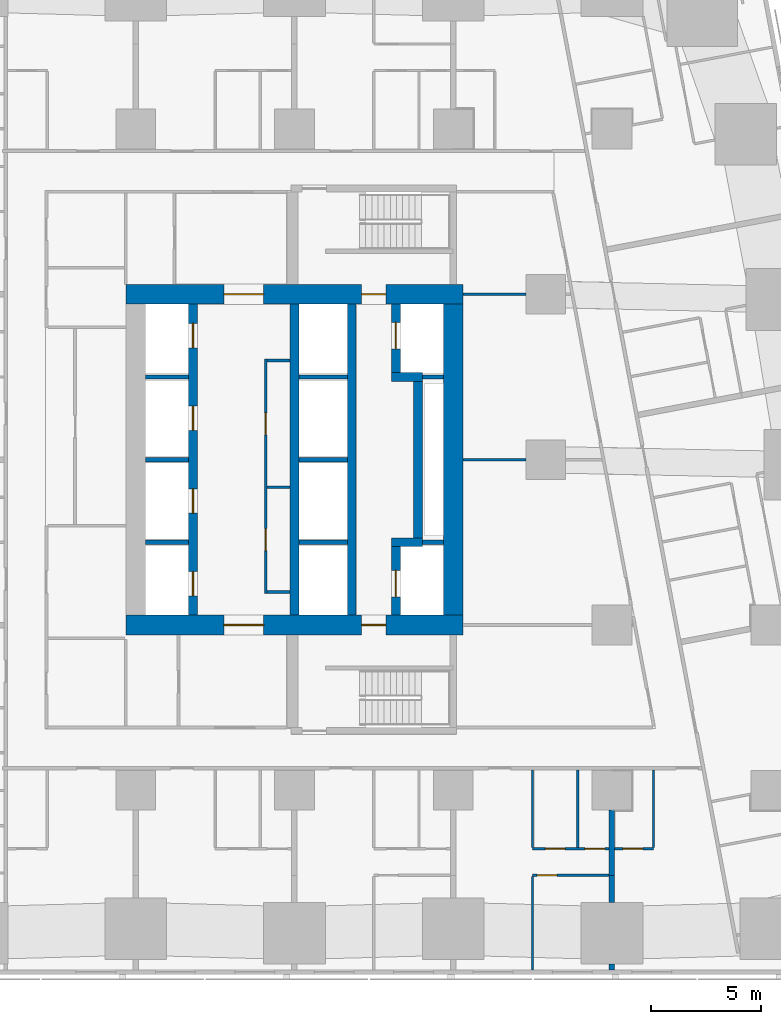
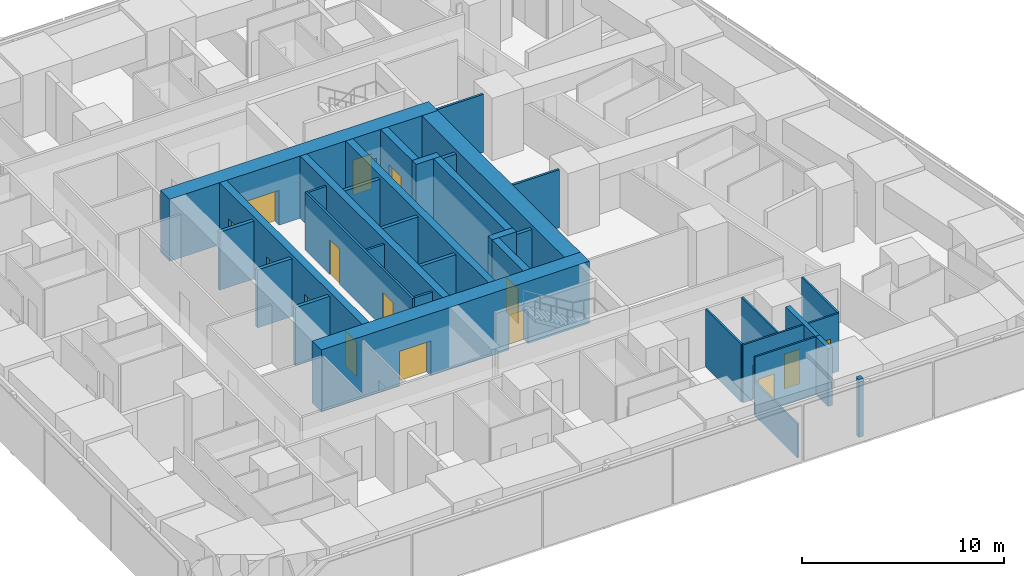
# One storey, part 5 of 15: 35 walls, 16 doors, 16 openings.
"""IFC4 building model written with IfcOpenShell, lengths in metres."""

from ifc_helpers import new_model, si_unit, direction, frame, frame_2d, origin, place, context, subcontext, project, spatial, rectangle, extrude, material, layer, layer_set, type_object, element, fill, save


model = new_model("IFC4")

# Units and contexts
model_context = context("Model", 3, precision=1e-05, world=origin(), true_north=direction((0.0, 1.0)))
body_context = subcontext(model_context, "Body", "Model", "MODEL_VIEW")
ifc_project = project(units=[si_unit("LENGTHUNIT", "METRE"), si_unit("AREAUNIT", "SQUARE_METRE"), si_unit("VOLUMEUNIT", "CUBIC_METRE"), si_unit("PLANEANGLEUNIT", "RADIAN"), si_unit("MASSUNIT", "GRAM", prefix="KILO")], contexts=[model_context])

# Site, building, storey
site_placement = place(None, origin())
site = spatial("IfcSite", under=ifc_project, at=site_placement, CompositionType="ELEMENT")
building_placement = place(site_placement, origin())
building = spatial("IfcBuilding", under=site, at=building_placement, Name="Sheger Commons Tower", CompositionType="ELEMENT")
storey_placement = place(building_placement, frame((0.0, 0.0, 46.25)))
storey = spatial("IfcBuildingStorey", under=building, at=storey_placement, Name="L11", CompositionType="ELEMENT", Elevation=46.25)

# Wall, openings, doors
ifc_material_1 = material(Name="Concrete C50/60", Category="concrete")
ifc_layer_1 = layer(ifc_material_1, 0.39990234375)
ifc_layer_set_1 = layer_set([ifc_layer_1], Name="CORE INNER WALL 400")
wall_type_1 = type_object("IfcWallType", Name="CORE INNER WALL 400", PredefinedType="SHEAR", material=ifc_layer_set_1)
wall_1_placement = place(storey_placement, frame((17.0, 15.449951171875, 0.0), z_axis=(0.0, 0.0, 1.0), x_axis=(0.0, 1.0, 0.0)))
wall_1 = element("IfcWall", 1, at=wall_1_placement, inside=storey, type_object=wall_type_1, Name="Core inner wall A L11", PredefinedType="SHEAR", context=body_context, shape_type="SweptSolid", body=[
    extrude(rectangle(XDim=14.10009765625, YDim=0.39990234375, at=frame_2d((7.050048828125, 0.0))), origin(), (0.0, 0.0, 1.0), 3.75),
])
opening_1_placement = place(wall_1_placement, frame((0.875, 0.0, 0.0)))
opening_1 = element("IfcOpeningElement", 2, at=opening_1_placement, cuts=wall_1, Name="Opening LD", PredefinedType="OPENING", context=body_context, shape_type="SweptSolid", body=[
    extrude(rectangle(XDim=1.10009765625, YDim=2.10009765625, at=frame_2d((0.550048828125, 1.050048828125))), frame((0.0, 0.2099609375, 0.0), z_axis=(0.0, -1.0, 0.0), x_axis=(1.0, 0.0, 0.0)), (0.0, 0.0, 1.0), 0.419921875),
])
opening_2_placement = place(wall_1_placement, frame((4.625, 0.0, 0.0)))
opening_2 = element("IfcOpeningElement", 3, at=opening_2_placement, cuts=wall_1, Name="Opening LD", PredefinedType="OPENING", context=body_context, shape_type="SweptSolid", body=[
    extrude(rectangle(XDim=1.10009765625, YDim=2.10009765625, at=frame_2d((0.550048828125, 1.050048828125))), frame((0.0, 0.2099609375, 0.0), z_axis=(0.0, -1.0, 0.0), x_axis=(1.0, 0.0, 0.0)), (0.0, 0.0, 1.0), 0.419921875),
])
opening_3_placement = place(wall_1_placement, frame((8.375, 0.0, 0.0)))
opening_3 = element("IfcOpeningElement", 4, at=opening_3_placement, cuts=wall_1, Name="Opening LD", PredefinedType="OPENING", context=body_context, shape_type="SweptSolid", body=[
    extrude(rectangle(XDim=1.10009765625, YDim=2.10009765625, at=frame_2d((0.550048828125, 1.050048828125))), frame((0.0, 0.2099609375, 0.0), z_axis=(0.0, -1.0, 0.0), x_axis=(1.0, 0.0, 0.0)), (0.0, 0.0, 1.0), 0.419921875),
])
opening_4_placement = place(wall_1_placement, frame((12.125, 0.0, 0.0)))
opening_4 = element("IfcOpeningElement", 5, at=opening_4_placement, cuts=wall_1, Name="Opening LD", PredefinedType="OPENING", context=body_context, shape_type="SweptSolid", body=[
    extrude(rectangle(XDim=1.10009765625, YDim=2.10009765625, at=frame_2d((0.550048828125, 1.050048828125))), frame((0.0, 0.2099609375, 0.0), z_axis=(0.0, -1.0, 0.0), x_axis=(1.0, 0.0, 0.0)), (0.0, 0.0, 1.0), 0.419921875),
])
ifc_material_2 = material(Name="Steel door set, fire rated", Category="steel")
door_type_1 = type_object("IfcDoorType", Name="LIFT LANDING DOOR 1100x2100", OperationType="DOUBLE_DOOR_SLIDING", PredefinedType="DOOR", material=ifc_material_2)
door_1_placement = place(opening_1_placement, origin())
door_1 = element("IfcDoor", 6, at=door_1_placement, inside=storey, type_object=door_type_1, Name="Lift LA1 landing door", OperationType="DOUBLE_DOOR_SLIDING", OverallHeight=2.10009765625, OverallWidth=1.10009765625, PredefinedType="DOOR", context=body_context, shape_type="SweptSolid", body=[
    extrude(rectangle(XDim=1.10009765625, YDim=2.10009765625, at=frame_2d((0.550048828125, 1.050048828125))), frame((0.0, 0.02490234375, 0.0), z_axis=(0.0, -1.0, 0.0), x_axis=(1.0, 0.0, 0.0)), (0.0, 0.0, 1.0), 0.050048828125),
])
fill(opening_1, door_1)
door_2_placement = place(opening_2_placement, origin())
door_2 = element("IfcDoor", 7, at=door_2_placement, inside=storey, type_object=door_type_1, Name="Lift LA2 landing door", OperationType="DOUBLE_DOOR_SLIDING", OverallHeight=2.10009765625, OverallWidth=1.10009765625, PredefinedType="DOOR", context=body_context, shape_type="SweptSolid", body=[
    extrude(rectangle(XDim=1.10009765625, YDim=2.10009765625, at=frame_2d((0.550048828125, 1.050048828125))), frame((0.0, 0.02490234375, 0.0), z_axis=(0.0, -1.0, 0.0), x_axis=(1.0, 0.0, 0.0)), (0.0, 0.0, 1.0), 0.050048828125),
])
fill(opening_2, door_2)
door_3_placement = place(opening_3_placement, origin())
door_3 = element("IfcDoor", 8, at=door_3_placement, inside=storey, type_object=door_type_1, Name="Lift LA3 landing door", OperationType="DOUBLE_DOOR_SLIDING", OverallHeight=2.10009765625, OverallWidth=1.10009765625, PredefinedType="DOOR", context=body_context, shape_type="SweptSolid", body=[
    extrude(rectangle(XDim=1.10009765625, YDim=2.10009765625, at=frame_2d((0.550048828125, 1.050048828125))), frame((0.0, 0.02490234375, 0.0), z_axis=(0.0, -1.0, 0.0), x_axis=(1.0, 0.0, 0.0)), (0.0, 0.0, 1.0), 0.050048828125),
])
fill(opening_3, door_3)
door_4_placement = place(opening_4_placement, origin())
door_4 = element("IfcDoor", 9, at=door_4_placement, inside=storey, type_object=door_type_1, Name="Lift LA4 landing door", OperationType="DOUBLE_DOOR_SLIDING", OverallHeight=2.10009765625, OverallWidth=1.10009765625, PredefinedType="DOOR", context=body_context, shape_type="SweptSolid", body=[
    extrude(rectangle(XDim=1.10009765625, YDim=2.10009765625, at=frame_2d((0.550048828125, 1.050048828125))), frame((0.0, 0.02490234375, 0.0), z_axis=(0.0, -1.0, 0.0), x_axis=(1.0, 0.0, 0.0)), (0.0, 0.0, 1.0), 0.050048828125),
])
fill(opening_4, door_4)

# Walls
for number, where, z_axis, x_axis, name in (
    (10, (21.60009765625, 15.449951171875, 0.0), (0.0, 0.0, 1.0), (0.0, 1.0, 0.0), "Core inner wall L L11"),
    (11, (24.199951171875, 15.449951171875, 0.0), (0.0, 0.0, 1.0), (0.0, 1.0, 0.0), "Core inner wall B L11"),
):
    element("IfcWall", number, at=place(storey_placement, frame(where, z_axis=z_axis, x_axis=x_axis)), inside=storey, type_object=wall_type_1, Name=name, PredefinedType="SHEAR", context=body_context, shape_type="SweptSolid", body=[
        extrude(rectangle(XDim=14.10009765625, YDim=0.39990234375, at=frame_2d((7.050048828125, 0.0))), origin(), (0.0, 0.0, 1.0), 3.75),
    ])

# Wall, opening, door
wall_2_placement = place(storey_placement, frame((26.199951171875, 15.449951171875, 0.0), z_axis=(0.0, 0.0, 1.0), x_axis=(0.0, 1.0, 0.0)))
wall_2 = element("IfcWall", 12, at=wall_2_placement, inside=storey, type_object=wall_type_1, Name="Core inner wall F L11", PredefinedType="SHEAR", context=body_context, shape_type="SweptSolid", body=[
    extrude(rectangle(XDim=3.10009765625, YDim=0.39990234375, at=frame_2d((1.550048828125, 0.0))), origin(), (0.0, 0.0, 1.0), 3.75),
])
opening_5_placement = place(wall_2_placement, frame((0.824951171875, 0.0, 0.0)))
opening_5 = element("IfcOpeningElement", 13, at=opening_5_placement, cuts=wall_2, Name="Opening LD2", PredefinedType="OPENING", context=body_context, shape_type="SweptSolid", body=[
    extrude(rectangle(XDim=1.199951171875, YDim=2.10009765625, at=frame_2d((0.60009765625, 1.050048828125))), frame((0.0, 0.2099609375, 0.0), z_axis=(0.0, -1.0, 0.0), x_axis=(1.0, 0.0, 0.0)), (0.0, 0.0, 1.0), 0.419921875),
])
ifc_material_3 = material(Name="Steel door set, fire rated", Category="steel")
door_type_2 = type_object("IfcDoorType", Name="FIREFIGHTING LIFT LANDING DOOR 1200x2100", OperationType="DOUBLE_DOOR_SLIDING", PredefinedType="DOOR", material=ifc_material_3)
door_5_placement = place(opening_5_placement, origin())
door_5 = element("IfcDoor", 14, at=door_5_placement, inside=storey, type_object=door_type_2, Name="Lift FL1 landing door", OperationType="DOUBLE_DOOR_SLIDING", OverallHeight=2.10009765625, OverallWidth=1.199951171875, PredefinedType="DOOR", context=body_context, shape_type="SweptSolid", body=[
    extrude(rectangle(XDim=1.199951171875, YDim=2.10009765625, at=frame_2d((0.60009765625, 1.050048828125))), frame((0.0, 0.02490234375, 0.0), z_axis=(0.0, -1.0, 0.0), x_axis=(1.0, 0.0, 0.0)), (0.0, 0.0, 1.0), 0.050048828125),
])
fill(opening_5, door_5)

# Walls
wall_3_placement = place(storey_placement, frame((26.0, 18.75, 0.0), z_axis=(0.0, 0.0, 1.0), x_axis=(1.0, 0.0, 0.0)))
element("IfcWall", 15, at=wall_3_placement, inside=storey, type_object=wall_type_1, Name="Core inner wall F south return L11", PredefinedType="SHEAR", context=body_context, shape_type="SweptSolid", body=[
    extrude(rectangle(XDim=1.39990234375, YDim=0.39990234375, at=frame_2d((0.699951171875, 0.0))), origin(), (0.0, 0.0, 1.0), 3.75),
])
wall_4_placement = place(storey_placement, frame((27.199951171875, 18.949951171875, 0.0), z_axis=(0.0, 0.0, 1.0), x_axis=(0.0, 1.0, 0.0)))
element("IfcWall", 16, at=wall_4_placement, inside=storey, type_object=wall_type_1, Name="Core inner wall F middle L11", PredefinedType="SHEAR", context=body_context, shape_type="SweptSolid", body=[
    extrude(rectangle(XDim=7.10009765625, YDim=0.39990234375, at=frame_2d((3.550048828125, 0.0))), origin(), (0.0, 0.0, 1.0), 3.75),
])
wall_5_placement = place(storey_placement, frame((26.0, 26.25, 0.0), z_axis=(0.0, 0.0, 1.0), x_axis=(1.0, 0.0, 0.0)))
element("IfcWall", 17, at=wall_5_placement, inside=storey, type_object=wall_type_1, Name="Core inner wall F north return L11", PredefinedType="SHEAR", context=body_context, shape_type="SweptSolid", body=[
    extrude(rectangle(XDim=1.39990234375, YDim=0.39990234375, at=frame_2d((0.699951171875, 0.0))), origin(), (0.0, 0.0, 1.0), 3.75),
])

# Wall, opening, door
wall_6_placement = place(storey_placement, frame((26.199951171875, 26.449951171875, 0.0), z_axis=(0.0, 0.0, 1.0), x_axis=(0.0, 1.0, 0.0)))
wall_6 = element("IfcWall", 18, at=wall_6_placement, inside=storey, type_object=wall_type_1, Name="Core inner wall F north L11", PredefinedType="SHEAR", context=body_context, shape_type="SweptSolid", body=[
    extrude(rectangle(XDim=3.10009765625, YDim=0.39990234375, at=frame_2d((1.550048828125, 0.0))), origin(), (0.0, 0.0, 1.0), 3.75),
])
opening_6_placement = place(wall_6_placement, frame((1.074951171875, 0.0, 0.0)))
opening_6 = element("IfcOpeningElement", 19, at=opening_6_placement, cuts=wall_6, Name="Opening LD2", PredefinedType="OPENING", context=body_context, shape_type="SweptSolid", body=[
    extrude(rectangle(XDim=1.199951171875, YDim=2.10009765625, at=frame_2d((0.60009765625, 1.050048828125))), frame((0.0, 0.2099609375, 0.0), z_axis=(0.0, -1.0, 0.0), x_axis=(1.0, 0.0, 0.0)), (0.0, 0.0, 1.0), 0.419921875),
])
door_6_placement = place(opening_6_placement, origin())
door_6 = element("IfcDoor", 20, at=door_6_placement, inside=storey, type_object=door_type_2, Name="Lift FL2 landing door", OperationType="DOUBLE_DOOR_SLIDING", OverallHeight=2.10009765625, OverallWidth=1.199951171875, PredefinedType="DOOR", context=body_context, shape_type="SweptSolid", body=[
    extrude(rectangle(XDim=1.199951171875, YDim=2.10009765625, at=frame_2d((0.60009765625, 1.050048828125))), frame((0.0, 0.02490234375, 0.0), z_axis=(0.0, -1.0, 0.0), x_axis=(1.0, 0.0, 0.0)), (0.0, 0.0, 1.0), 0.050048828125),
])
fill(opening_6, door_6)

# Wall, openings, doors
ifc_material_4 = material(Name="Concrete C50/60", Category="concrete")
ifc_layer_2 = layer(ifc_material_4, 0.89990234375)
ifc_layer_set_2 = layer_set([ifc_layer_2], Name="CORE WALL 900")
wall_type_2 = type_object("IfcWallType", Name="CORE WALL 900", PredefinedType="SHEAR", material=ifc_layer_set_2)
wall_7_placement = place(storey_placement, frame((13.949951171875, 15.0, 0.0), z_axis=(0.0, 0.0, 1.0), x_axis=(1.0, 0.0, 0.0)))
wall_7 = element("IfcWall", 21, at=wall_7_placement, inside=storey, type_object=wall_type_2, Name="Core wall south L11", PredefinedType="SHEAR", context=body_context, shape_type="SweptSolid", body=[
    extrude(rectangle(XDim=15.300048828125, YDim=0.89990234375, at=frame_2d((7.64990234375, 0.0))), origin(), (0.0, 0.0, 1.0), 3.75),
])
opening_7_placement = place(wall_7_placement, frame((4.449951171875, 0.0, 0.0)))
opening_7 = element("IfcOpeningElement", 22, at=opening_7_placement, cuts=wall_7, Name="Opening D6", PredefinedType="OPENING", context=body_context, shape_type="SweptSolid", body=[
    extrude(rectangle(XDim=1.800048828125, YDim=2.10009765625, at=frame_2d((0.89990234375, 1.050048828125))), frame((0.0, 0.4599609375, 0.0), z_axis=(0.0, -1.0, 0.0), x_axis=(1.0, 0.0, 0.0)), (0.0, 0.0, 1.0), 0.919921875),
])
opening_8_placement = place(wall_7_placement, frame((10.699951171875, 0.0, 0.0)))
opening_8 = element("IfcOpeningElement", 23, at=opening_8_placement, cuts=wall_7, Name="Opening D5", PredefinedType="OPENING", context=body_context, shape_type="SweptSolid", body=[
    extrude(rectangle(XDim=1.10009765625, YDim=2.10009765625, at=frame_2d((0.550048828125, 1.050048828125))), frame((0.0, 0.4599609375, 0.0), z_axis=(0.0, -1.0, 0.0), x_axis=(1.0, 0.0, 0.0)), (0.0, 0.0, 1.0), 0.919921875),
])
ifc_material_5 = material(Name="Steel door set, fire rated", Category="steel")
door_type_3 = type_object("IfcDoorType", Name="LOBBY DOUBLE DOOR 1800x2100", OperationType="DOUBLE_DOOR_SINGLE_SWING", PredefinedType="DOOR", material=ifc_material_5)
door_7_placement = place(opening_7_placement, origin())
door_7 = element("IfcDoor", 24, at=door_7_placement, inside=storey, type_object=door_type_3, Name="Lift lobby door", OperationType="DOUBLE_DOOR_SINGLE_SWING", OverallHeight=2.10009765625, OverallWidth=1.800048828125, PredefinedType="DOOR", context=body_context, shape_type="SweptSolid", body=[
    extrude(rectangle(XDim=1.800048828125, YDim=2.10009765625, at=frame_2d((0.89990234375, 1.050048828125))), frame((0.0, 0.02490234375, 0.0), z_axis=(0.0, -1.0, 0.0), x_axis=(1.0, 0.0, 0.0)), (0.0, 0.0, 1.0), 0.050048828125),
])
fill(opening_7, door_7)
ifc_material_6 = material(Name="Steel door set, fire rated", Category="steel")
door_type_4 = type_object("IfcDoorType", Name="STAIR DOOR 1100x2100", OperationType="NOTDEFINED", PredefinedType="DOOR", material=ifc_material_6)
door_8_placement = place(opening_8_placement, origin())
door_8 = element("IfcDoor", 25, at=door_8_placement, inside=storey, type_object=door_type_4, Name="Fire-fighting lobby door", OperationType="SINGLE_SWING_LEFT", OverallHeight=2.10009765625, OverallWidth=1.10009765625, PredefinedType="DOOR", context=body_context, shape_type="SweptSolid", body=[
    extrude(rectangle(XDim=1.10009765625, YDim=2.10009765625, at=frame_2d((0.550048828125, 1.050048828125))), frame((0.0, 0.02490234375, 0.0), z_axis=(0.0, -1.0, 0.0), x_axis=(1.0, 0.0, 0.0)), (0.0, 0.0, 1.0), 0.050048828125),
])
fill(opening_8, door_8)

wall_8_placement = place(storey_placement, frame((13.949951171875, 30.0, 0.0), z_axis=(0.0, 0.0, 1.0), x_axis=(1.0, 0.0, 0.0)))
wall_8 = element("IfcWall", 26, at=wall_8_placement, inside=storey, type_object=wall_type_2, Name="Core wall north L11", PredefinedType="SHEAR", context=body_context, shape_type="SweptSolid", body=[
    extrude(rectangle(XDim=15.300048828125, YDim=0.89990234375, at=frame_2d((7.64990234375, 0.0))), origin(), (0.0, 0.0, 1.0), 3.75),
])
opening_9_placement = place(wall_8_placement, frame((4.449951171875, 0.0, 0.0)))
opening_9 = element("IfcOpeningElement", 27, at=opening_9_placement, cuts=wall_8, Name="Opening D6", PredefinedType="OPENING", context=body_context, shape_type="SweptSolid", body=[
    extrude(rectangle(XDim=1.800048828125, YDim=2.10009765625, at=frame_2d((0.89990234375, 1.050048828125))), frame((0.0, 0.4599609375, 0.0), z_axis=(0.0, -1.0, 0.0), x_axis=(1.0, 0.0, 0.0)), (0.0, 0.0, 1.0), 0.919921875),
])
opening_10_placement = place(wall_8_placement, frame((10.699951171875, 0.0, 0.0)))
opening_10 = element("IfcOpeningElement", 28, at=opening_10_placement, cuts=wall_8, Name="Opening D5", PredefinedType="OPENING", context=body_context, shape_type="SweptSolid", body=[
    extrude(rectangle(XDim=1.10009765625, YDim=2.10009765625, at=frame_2d((0.550048828125, 1.050048828125))), frame((0.0, 0.4599609375, 0.0), z_axis=(0.0, -1.0, 0.0), x_axis=(1.0, 0.0, 0.0)), (0.0, 0.0, 1.0), 0.919921875),
])
door_9_placement = place(opening_9_placement, origin())
door_9 = element("IfcDoor", 29, at=door_9_placement, inside=storey, type_object=door_type_3, Name="Lift lobby door", OperationType="DOUBLE_DOOR_SINGLE_SWING", OverallHeight=2.10009765625, OverallWidth=1.800048828125, PredefinedType="DOOR", context=body_context, shape_type="SweptSolid", body=[
    extrude(rectangle(XDim=1.800048828125, YDim=2.10009765625, at=frame_2d((0.89990234375, 1.050048828125))), frame((0.0, 0.02490234375, 0.0), z_axis=(0.0, -1.0, 0.0), x_axis=(1.0, 0.0, 0.0)), (0.0, 0.0, 1.0), 0.050048828125),
])
fill(opening_9, door_9)
door_10_placement = place(opening_10_placement, origin())
door_10 = element("IfcDoor", 30, at=door_10_placement, inside=storey, type_object=door_type_4, Name="Fire-fighting lobby door", OperationType="SINGLE_SWING_LEFT", OverallHeight=2.10009765625, OverallWidth=1.10009765625, PredefinedType="DOOR", context=body_context, shape_type="SweptSolid", body=[
    extrude(rectangle(XDim=1.10009765625, YDim=2.10009765625, at=frame_2d((0.550048828125, 1.050048828125))), frame((0.0, 0.02490234375, 0.0), z_axis=(0.0, -1.0, 0.0), x_axis=(1.0, 0.0, 0.0)), (0.0, 0.0, 1.0), 0.050048828125),
])
fill(opening_10, door_10)

# Walls
wall_9_placement = place(storey_placement, frame((28.800048828125, 15.449951171875, 0.0), z_axis=(0.0, 0.0, 1.0), x_axis=(0.0, 1.0, 0.0)))
element("IfcWall", 31, at=wall_9_placement, inside=storey, type_object=wall_type_2, Name="Core wall east L11", PredefinedType="SHEAR", context=body_context, shape_type="SweptSolid", body=[
    extrude(rectangle(XDim=14.10009765625, YDim=0.89990234375, at=frame_2d((7.050048828125, 0.0))), origin(), (0.0, 0.0, 1.0), 3.75),
])
ifc_material_7 = material(Name="Dense concrete block masonry, plastered both sides (separating wall between flats)", Category="masonry")
ifc_layer_3 = layer(ifc_material_7, 0.25)
ifc_layer_set_3 = layer_set([ifc_layer_3], Name="DEMISING WALL 250")
wall_type_3 = type_object("IfcWallType", Name="DEMISING WALL 250", PredefinedType="SOLIDWALL", material=ifc_layer_set_3)
wall_10_placement = place(storey_placement, frame((36.0, -0.64990234375, 0.0), z_axis=(0.0, 0.0, 1.0), x_axis=(0.0, 1.0, 0.0)))
element("IfcWall", 32, at=wall_10_placement, inside=storey, type_object=wall_type_3, Name="Demising wall L11", PredefinedType="SOLIDWALL", context=body_context, shape_type="SweptSolid", body=[
    extrude(rectangle(XDim=0.27392578125, YDim=0.25, at=frame_2d((0.136962890625, 0.0))), origin(), (0.0, 0.0, 1.0), 3.5),
])
wall_11_placement = place(storey_placement, frame((36.0, 2.426025390625, 0.0), z_axis=(0.0, 0.0, 1.0), x_axis=(0.0, 1.0, 0.0)))
element("IfcWall", 33, at=wall_11_placement, inside=storey, type_object=wall_type_3, Name="Demising wall L11", PredefinedType="SOLIDWALL", context=body_context, shape_type="SweptSolid", body=[
    extrude(rectangle(XDim=1.223876953125, YDim=0.25, at=frame_2d((0.61181640625, 0.0))), origin(), (0.0, 0.0, 1.0), 3.5),
])
wall_12_placement = place(storey_placement, frame((36.0, 3.64990234375, 0.0), z_axis=(0.0, 0.0, 1.0), x_axis=(0.0, 1.0, 0.0)))
element("IfcWall", 34, at=wall_12_placement, inside=storey, type_object=wall_type_3, Name="Demising wall L11", PredefinedType="SOLIDWALL", context=body_context, shape_type="SweptSolid", body=[
    extrude(rectangle(XDim=2.94921875, YDim=0.25, at=frame_2d((1.474609375, 0.0))), origin(), (0.0, 0.0, 1.0), 3.5),
])

# Wall, opening, door
ifc_material_8 = material(Name="Gypsum board on steel studs", Category="steel")
ifc_layer_4 = layer(ifc_material_8, 0.10009765625)
ifc_layer_set_4 = layer_set([ifc_layer_4], Name="PARTITION 100")
wall_type_4 = type_object("IfcWallType", Name="PARTITION 100", PredefinedType="PARTITIONING", material=ifc_layer_set_4)
wall_13_placement = place(storey_placement, frame((35.875, 3.64990234375, 0.0), z_axis=(0.0, 0.0, 1.0), x_axis=(-1.0, 0.0, 0.0)))
wall_13 = element("IfcWall", 35, at=wall_13_placement, inside=storey, type_object=wall_type_4, Name="Partition L11", PredefinedType="PARTITIONING", context=body_context, shape_type="SweptSolid", body=[
    extrude(rectangle(XDim=3.47509765625, YDim=0.10009765625, at=frame_2d((1.737548828125, 0.0))), origin(), (0.0, 0.0, 1.0), 3.5),
])
opening_11_placement = place(wall_13_placement, frame((2.375, 0.0, 0.0)))
opening_11 = element("IfcOpeningElement", 36, at=opening_11_placement, cuts=wall_13, Name="Opening D2", PredefinedType="OPENING", context=body_context, shape_type="SweptSolid", body=[
    extrude(rectangle(XDim=0.89990234375, YDim=2.10009765625, at=frame_2d((0.449951171875, 1.050048828125))), frame((0.0, 0.06005859375, 0.0), z_axis=(0.0, -1.0, 0.0), x_axis=(1.0, 0.0, 0.0)), (0.0, 0.0, 1.0), 0.1201171875),
])
ifc_material_9 = material(Name="Timber door set", Category="wood")
door_type_5 = type_object("IfcDoorType", Name="INTERNAL DOOR 900x2100", OperationType="NOTDEFINED", PredefinedType="DOOR", material=ifc_material_9)
door_11_placement = place(opening_11_placement, origin())
door_11 = element("IfcDoor", 37, at=door_11_placement, inside=storey, type_object=door_type_5, Name="Main bedroom door", OperationType="SINGLE_SWING_RIGHT", OverallHeight=2.10009765625, OverallWidth=0.89990234375, PredefinedType="DOOR", context=body_context, shape_type="SweptSolid", body=[
    extrude(rectangle(XDim=0.89990234375, YDim=2.10009765625, at=frame_2d((0.449951171875, 1.050048828125))), frame((0.0, 0.02490234375, 0.0), z_axis=(0.0, -1.0, 0.0), x_axis=(1.0, 0.0, 0.0)), (0.0, 0.0, 1.0), 0.050048828125),
])
fill(opening_11, door_11)

# Wall, openings, doors
wall_14_placement = place(storey_placement, frame((35.875, 4.85009765625, 0.0), z_axis=(0.0, 0.0, 1.0), x_axis=(-1.0, 0.0, 0.0)))
wall_14 = element("IfcWall", 38, at=wall_14_placement, inside=storey, type_object=wall_type_4, Name="Partition L11", PredefinedType="PARTITIONING", context=body_context, shape_type="SweptSolid", body=[
    extrude(rectangle(XDim=3.47509765625, YDim=0.10009765625, at=frame_2d((1.737548828125, 0.0))), origin(), (0.0, 0.0, 1.0), 3.5),
])
opening_12_placement = place(wall_14_placement, frame((2.0, 0.0, 0.0)))
opening_12 = element("IfcOpeningElement", 39, at=opening_12_placement, cuts=wall_14, Name="Opening D2", PredefinedType="OPENING", context=body_context, shape_type="SweptSolid", body=[
    extrude(rectangle(XDim=0.89990234375, YDim=2.10009765625, at=frame_2d((0.449951171875, 1.050048828125))), frame((0.0, 0.06005859375, 0.0), z_axis=(0.0, -1.0, 0.0), x_axis=(1.0, 0.0, 0.0)), (0.0, 0.0, 1.0), 0.1201171875),
])
opening_13_placement = place(wall_14_placement, frame((0.199951171875, 0.0, 0.0)))
opening_13 = element("IfcOpeningElement", 40, at=opening_13_placement, cuts=wall_14, Name="Opening D2", PredefinedType="OPENING", context=body_context, shape_type="SweptSolid", body=[
    extrude(rectangle(XDim=0.89990234375, YDim=2.10009765625, at=frame_2d((0.449951171875, 1.050048828125))), frame((0.0, 0.06005859375, 0.0), z_axis=(0.0, -1.0, 0.0), x_axis=(1.0, 0.0, 0.0)), (0.0, 0.0, 1.0), 0.1201171875),
])
door_12_placement = place(opening_12_placement, origin())
door_12 = element("IfcDoor", 41, at=door_12_placement, inside=storey, type_object=door_type_5, Name="Bathroom door", OperationType="SINGLE_SWING_LEFT", OverallHeight=2.10009765625, OverallWidth=0.89990234375, PredefinedType="DOOR", context=body_context, shape_type="SweptSolid", body=[
    extrude(rectangle(XDim=0.89990234375, YDim=2.10009765625, at=frame_2d((0.449951171875, 1.050048828125))), frame((0.0, 0.02490234375, 0.0), z_axis=(0.0, -1.0, 0.0), x_axis=(1.0, 0.0, 0.0)), (0.0, 0.0, 1.0), 0.050048828125),
])
fill(opening_12, door_12)
door_13_placement = place(opening_13_placement, origin())
door_13 = element("IfcDoor", 42, at=door_13_placement, inside=storey, type_object=door_type_5, Name="Store door", OperationType="SINGLE_SWING_RIGHT", OverallHeight=2.10009765625, OverallWidth=0.89990234375, PredefinedType="DOOR", context=body_context, shape_type="SweptSolid", body=[
    extrude(rectangle(XDim=0.89990234375, YDim=2.10009765625, at=frame_2d((0.449951171875, 1.050048828125))), frame((0.0, 0.02490234375, 0.0), z_axis=(0.0, -1.0, 0.0), x_axis=(1.0, 0.0, 0.0)), (0.0, 0.0, 1.0), 0.050048828125),
])
fill(opening_13, door_13)

# Walls
wall_15_placement = place(storey_placement, frame((32.39990234375, -0.64990234375, 0.0), z_axis=(0.0, 0.0, 1.0), x_axis=(0.0, 1.0, 0.0)))
element("IfcWall", 43, at=wall_15_placement, inside=storey, type_object=wall_type_4, Name="Partition L11", PredefinedType="PARTITIONING", context=body_context, shape_type="SweptSolid", body=[
    extrude(rectangle(XDim=4.25, YDim=0.10009765625, at=frame_2d((2.125, 0.0))), origin(), (0.0, 0.0, 1.0), 2.050048828125),
])
for number, where, z_axis, x_axis, name in (
    (44, (32.39990234375, 4.89990234375, 0.0), (0.0, 0.0, 1.0), (0.0, 1.0, 0.0), "Partition L11"),
    (45, (34.449951171875, 4.89990234375, 0.0), (0.0, 0.0, 1.0), (0.0, 1.0, 0.0), "Partition L11"),
):
    element("IfcWall", number, at=place(storey_placement, frame(where, z_axis=z_axis, x_axis=x_axis)), inside=storey, type_object=wall_type_4, Name=name, PredefinedType="PARTITIONING", context=body_context, shape_type="SweptSolid", body=[
        extrude(rectangle(XDim=3.525146484375, YDim=0.10009765625, at=frame_2d((1.7626953125, 0.0))), origin(), (0.0, 0.0, 1.0), 3.5),
    ])

# Wall, opening, door
wall_16_placement = place(storey_placement, frame((37.889892578125, 4.85009765625, 0.0), z_axis=(0.0, 0.0, 1.0), x_axis=(-1.0, 0.0, 0.0)))
wall_16 = element("IfcWall", 46, at=wall_16_placement, inside=storey, type_object=wall_type_4, Name="Partition L11", PredefinedType="PARTITIONING", context=body_context, shape_type="SweptSolid", body=[
    extrude(rectangle(XDim=1.764892578125, YDim=0.10009765625, at=frame_2d((0.88232421875, 0.0))), origin(), (0.0, 0.0, 1.0), 3.5),
])
opening_14_placement = place(wall_16_placement, frame((0.489990234375, 0.0, 0.0)))
opening_14 = element("IfcOpeningElement", 47, at=opening_14_placement, cuts=wall_16, Name="Opening D2", PredefinedType="OPENING", context=body_context, shape_type="SweptSolid", body=[
    extrude(rectangle(XDim=0.89990234375, YDim=2.10009765625, at=frame_2d((0.449951171875, 1.050048828125))), frame((0.0, 0.06005859375, 0.0), z_axis=(0.0, -1.0, 0.0), x_axis=(1.0, 0.0, 0.0)), (0.0, 0.0, 1.0), 0.1201171875),
])
door_14_placement = place(opening_14_placement, origin())
door_14 = element("IfcDoor", 48, at=door_14_placement, inside=storey, type_object=door_type_5, Name="Shower room door", OperationType="SINGLE_SWING_LEFT", OverallHeight=2.10009765625, OverallWidth=0.89990234375, PredefinedType="DOOR", context=body_context, shape_type="SweptSolid", body=[
    extrude(rectangle(XDim=0.89990234375, YDim=2.10009765625, at=frame_2d((0.449951171875, 1.050048828125))), frame((0.0, 0.02490234375, 0.0), z_axis=(0.0, -1.0, 0.0), x_axis=(1.0, 0.0, 0.0)), (0.0, 0.0, 1.0), 0.050048828125),
])
fill(opening_14, door_14)

# Walls
wall_17_placement = place(storey_placement, frame((37.889892578125, 4.89990234375, 0.0), z_axis=(0.0, 0.0, 1.0), x_axis=(0.0, 1.0, 0.0)))
element("IfcWall", 49, at=wall_17_placement, inside=storey, type_object=wall_type_4, Name="Partition L11", PredefinedType="PARTITIONING", context=body_context, shape_type="SweptSolid", body=[
    extrude(rectangle(XDim=3.525146484375, YDim=0.10009765625, at=frame_2d((1.7626953125, 0.0))), origin(), (0.0, 0.0, 1.0), 3.5),
])
ifc_material_10 = material(Name="Gypsum board on steel studs, two layers each side, fire rated", Category="steel")
ifc_layer_5 = layer(ifc_material_10, 0.125)
ifc_layer_set_5 = layer_set([ifc_layer_5], Name="SERVICE WALL 125")
wall_type_5 = type_object("IfcWallType", Name="SERVICE WALL 125", PredefinedType="PARTITIONING", material=ifc_layer_set_5)
for number, where, z_axis, x_axis, name in (
    (50, (29.25, 22.5, 0.0), (0.0, 0.0, 1.0), (1.0, 0.0, 0.0), "Service room wall L11"),
    (51, (29.25, 30.0, 0.0), (0.0, 0.0, 1.0), (1.0, 0.0, 0.0), "Service room wall L11"),
):
    element("IfcWall", number, at=place(storey_placement, frame(where, z_axis=z_axis, x_axis=x_axis)), inside=storey, type_object=wall_type_5, Name=name, PredefinedType="PARTITIONING", context=body_context, shape_type="SweptSolid", body=[
        extrude(rectangle(XDim=2.84912109375, YDim=0.125, at=frame_2d((1.424560546875, 0.0))), origin(), (0.0, 0.0, 1.0), 3.5),
    ])

# Wall, openings, doors
wall_18_placement = place(storey_placement, frame((20.300048828125, 16.43798828125, 0.0), z_axis=(0.0, 0.0, 1.0), x_axis=(0.0, 1.0, 0.0)))
wall_18 = element("IfcWall", 52, at=wall_18_placement, inside=storey, type_object=wall_type_5, Name="Service room wall L11", PredefinedType="PARTITIONING", context=body_context, shape_type="SweptSolid", body=[
    extrude(rectangle(XDim=10.6240234375, YDim=0.125, at=frame_2d((5.31201171875, 0.0))), origin(), (0.0, 0.0, 1.0), 3.5),
])
opening_15_placement = place(wall_18_placement, frame((1.93701171875, 0.0, 0.0)))
opening_15 = element("IfcOpeningElement", 53, at=opening_15_placement, cuts=wall_18, Name="Opening D4", PredefinedType="OPENING", context=body_context, shape_type="SweptSolid", body=[
    extrude(rectangle(XDim=1.0, YDim=2.10009765625, at=frame_2d((0.5, 1.050048828125))), frame((0.0, 0.072509765625, 0.0), z_axis=(0.0, -1.0, 0.0), x_axis=(1.0, 0.0, 0.0)), (0.0, 0.0, 1.0), 0.14501953125),
])
opening_16_placement = place(wall_18_placement, frame((7.18701171875, 0.0, 0.0)))
opening_16 = element("IfcOpeningElement", 54, at=opening_16_placement, cuts=wall_18, Name="Opening D4", PredefinedType="OPENING", context=body_context, shape_type="SweptSolid", body=[
    extrude(rectangle(XDim=1.0, YDim=2.10009765625, at=frame_2d((0.5, 1.050048828125))), frame((0.0, 0.072509765625, 0.0), z_axis=(0.0, -1.0, 0.0), x_axis=(1.0, 0.0, 0.0)), (0.0, 0.0, 1.0), 0.14501953125),
])
ifc_material_11 = material(Name="Steel door set, fire rated", Category="steel")
door_type_6 = type_object("IfcDoorType", Name="SERVICE DOOR 1000x2100", OperationType="NOTDEFINED", PredefinedType="DOOR", material=ifc_material_11)
door_15_placement = place(opening_15_placement, origin())
door_15 = element("IfcDoor", 55, at=door_15_placement, inside=storey, type_object=door_type_6, Name="Electrical cupboard door", OperationType="SINGLE_SWING_RIGHT", OverallHeight=2.10009765625, OverallWidth=1.0, PredefinedType="DOOR", context=body_context, shape_type="SweptSolid", body=[
    extrude(rectangle(XDim=1.0, YDim=2.10009765625, at=frame_2d((0.5, 1.050048828125))), frame((0.0, 0.02490234375, 0.0), z_axis=(0.0, -1.0, 0.0), x_axis=(1.0, 0.0, 0.0)), (0.0, 0.0, 1.0), 0.050048828125),
])
fill(opening_15, door_15)
door_16_placement = place(opening_16_placement, origin())
door_16 = element("IfcDoor", 56, at=door_16_placement, inside=storey, type_object=door_type_6, Name="Cleaner's cupboard door", OperationType="SINGLE_SWING_LEFT", OverallHeight=2.10009765625, OverallWidth=1.0, PredefinedType="DOOR", context=body_context, shape_type="SweptSolid", body=[
    extrude(rectangle(XDim=1.0, YDim=2.10009765625, at=frame_2d((0.5, 1.050048828125))), frame((0.0, 0.02490234375, 0.0), z_axis=(0.0, -1.0, 0.0), x_axis=(1.0, 0.0, 0.0)), (0.0, 0.0, 1.0), 0.050048828125),
])
fill(opening_16, door_16)

# Walls
for number, where, z_axis, x_axis, name in (
    (57, (20.363037109375, 16.5, 0.0), (0.0, 0.0, 1.0), (1.0, 0.0, 0.0), "Service room wall L11"),
    (58, (20.363037109375, 27.0, 0.0), (0.0, 0.0, 1.0), (1.0, 0.0, 0.0), "Service room wall L11"),
    (59, (20.363037109375, 21.25, 0.0), (0.0, 0.0, 1.0), (1.0, 0.0, 0.0), "Service room wall L11"),
):
    element("IfcWall", number, at=place(storey_placement, frame(where, z_axis=z_axis, x_axis=x_axis)), inside=storey, type_object=wall_type_5, Name=name, PredefinedType="PARTITIONING", context=body_context, shape_type="SweptSolid", body=[
        extrude(rectangle(XDim=1.036865234375, YDim=0.125, at=frame_2d((0.5185546875, 0.0))), origin(), (0.0, 0.0, 1.0), 3.5),
    ])
ifc_material_12 = material(Name="Hollow concrete block masonry", Category="masonry")
ifc_layer_6 = layer(ifc_material_12, 0.199951171875)
ifc_layer_set_6 = layer_set([ifc_layer_6], Name="SHAFT WALL 200")
wall_type_6 = type_object("IfcWallType", Name="SHAFT WALL 200", PredefinedType="SOLIDWALL", material=ifc_layer_set_6)
wall_19_placement = place(storey_placement, frame((14.85009765625, 18.75, 0.0), z_axis=(0.0, 0.0, 1.0), x_axis=(1.0, 0.0, 0.0)))
element("IfcWall", 60, at=wall_19_placement, inside=storey, type_object=wall_type_6, Name="Lift shaft wall L11", PredefinedType="SOLIDWALL", context=body_context, shape_type="SweptSolid", body=[
    extrude(rectangle(XDim=1.949951171875, YDim=0.199951171875, at=frame_2d((0.97509765625, 0.0))), origin(), (0.0, 0.0, 1.0), 3.5),
])
wall_20_placement = place(storey_placement, frame((21.800048828125, 18.75, 0.0), z_axis=(0.0, 0.0, 1.0), x_axis=(1.0, 0.0, 0.0)))
element("IfcWall", 61, at=wall_20_placement, inside=storey, type_object=wall_type_6, Name="Lift shaft wall L11", PredefinedType="SOLIDWALL", context=body_context, shape_type="SweptSolid", body=[
    extrude(rectangle(XDim=2.199951171875, YDim=0.199951171875, at=frame_2d((1.10009765625, 0.0))), origin(), (0.0, 0.0, 1.0), 3.5),
])
wall_21_placement = place(storey_placement, frame((14.85009765625, 22.5, 0.0), z_axis=(0.0, 0.0, 1.0), x_axis=(1.0, 0.0, 0.0)))
element("IfcWall", 62, at=wall_21_placement, inside=storey, type_object=wall_type_6, Name="Lift shaft wall L11", PredefinedType="SOLIDWALL", context=body_context, shape_type="SweptSolid", body=[
    extrude(rectangle(XDim=1.949951171875, YDim=0.199951171875, at=frame_2d((0.97509765625, 0.0))), origin(), (0.0, 0.0, 1.0), 3.5),
])
wall_22_placement = place(storey_placement, frame((21.800048828125, 22.5, 0.0), z_axis=(0.0, 0.0, 1.0), x_axis=(1.0, 0.0, 0.0)))
element("IfcWall", 63, at=wall_22_placement, inside=storey, type_object=wall_type_6, Name="Lift shaft wall L11", PredefinedType="SOLIDWALL", context=body_context, shape_type="SweptSolid", body=[
    extrude(rectangle(XDim=2.199951171875, YDim=0.199951171875, at=frame_2d((1.10009765625, 0.0))), origin(), (0.0, 0.0, 1.0), 3.5),
])
wall_23_placement = place(storey_placement, frame((14.85009765625, 26.25, 0.0), z_axis=(0.0, 0.0, 1.0), x_axis=(1.0, 0.0, 0.0)))
element("IfcWall", 64, at=wall_23_placement, inside=storey, type_object=wall_type_6, Name="Lift shaft wall L11", PredefinedType="SOLIDWALL", context=body_context, shape_type="SweptSolid", body=[
    extrude(rectangle(XDim=1.949951171875, YDim=0.199951171875, at=frame_2d((0.97509765625, 0.0))), origin(), (0.0, 0.0, 1.0), 3.5),
])
wall_24_placement = place(storey_placement, frame((21.800048828125, 26.25, 0.0), z_axis=(0.0, 0.0, 1.0), x_axis=(1.0, 0.0, 0.0)))
element("IfcWall", 65, at=wall_24_placement, inside=storey, type_object=wall_type_6, Name="Lift shaft wall L11", PredefinedType="SOLIDWALL", context=body_context, shape_type="SweptSolid", body=[
    extrude(rectangle(XDim=2.199951171875, YDim=0.199951171875, at=frame_2d((1.10009765625, 0.0))), origin(), (0.0, 0.0, 1.0), 3.5),
])
for number, where, z_axis, x_axis, name in (
    (66, (27.39990234375, 18.75, 0.0), (0.0, 0.0, 1.0), (1.0, 0.0, 0.0), "Lift shaft wall L11"),
    (67, (27.39990234375, 26.25, 0.0), (0.0, 0.0, 1.0), (1.0, 0.0, 0.0), "Lift shaft wall L11"),
):
    element("IfcWall", number, at=place(storey_placement, frame(where, z_axis=z_axis, x_axis=x_axis)), inside=storey, type_object=wall_type_6, Name=name, PredefinedType="SOLIDWALL", context=body_context, shape_type="SweptSolid", body=[
        extrude(rectangle(XDim=0.9501953125, YDim=0.199951171875, at=frame_2d((0.47509765625, 0.0))), origin(), (0.0, 0.0, 1.0), 3.5),
    ])

save(model, "model.ifc")
